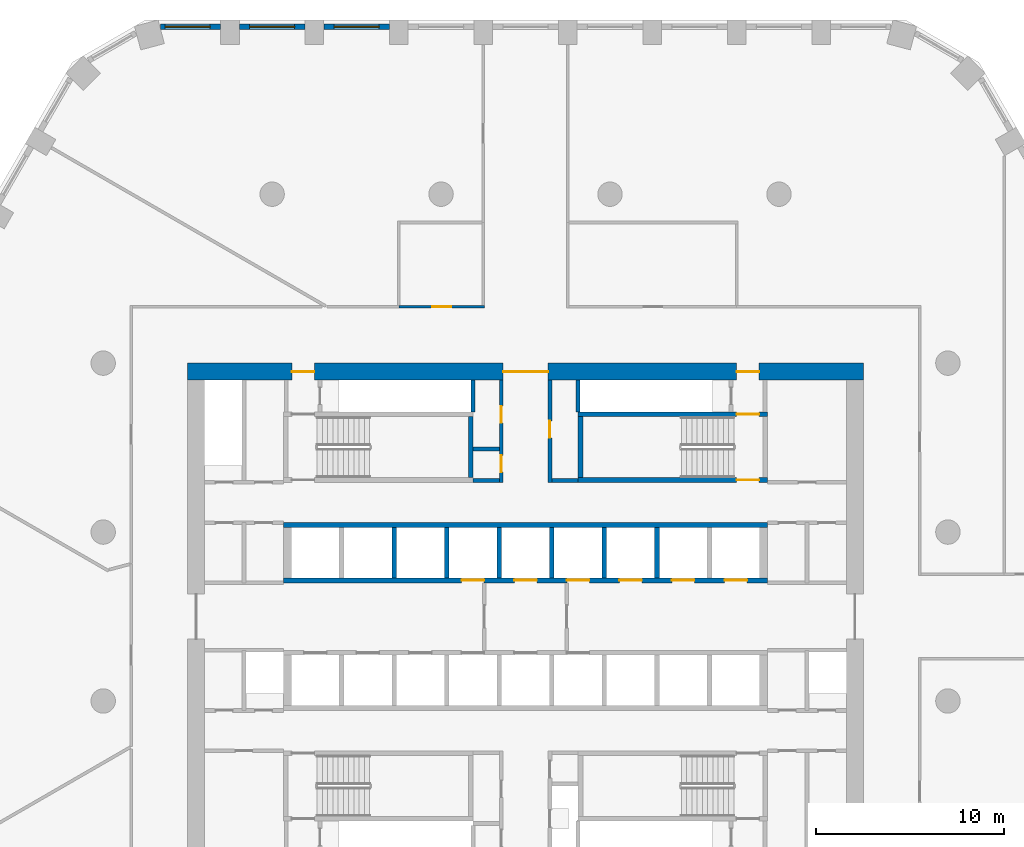
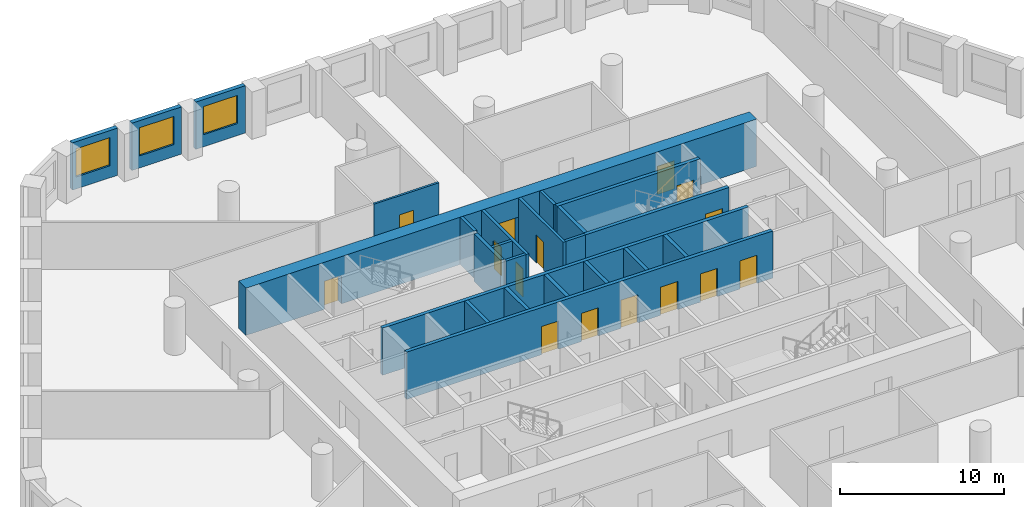
# One storey, part 6 of 10: 24 walls, 15 doors, 3 windows, 18 openings.
"""IFC4 building model written with IfcOpenShell, lengths in metres."""

from ifc_helpers import new_model, si_unit, direction, frame, frame_2d, origin, place, context, subcontext, project, spatial, polyline, rectangle, outline, extrude, material, layer, layer_set, type_object, element, fill, save


model = new_model("IFC4")

# Units and contexts
model_context = context("Model", 3, precision=1e-05, world=origin(), true_north=direction((0.0, 1.0)))
body_context = subcontext(model_context, "Body", "Model", "MODEL_VIEW")
ifc_project = project(units=[si_unit("LENGTHUNIT", "METRE"), si_unit("AREAUNIT", "SQUARE_METRE"), si_unit("VOLUMEUNIT", "CUBIC_METRE"), si_unit("PLANEANGLEUNIT", "RADIAN"), si_unit("MASSUNIT", "GRAM", prefix="KILO")], contexts=[model_context])

# Site, building, storey
site_placement = place(None, origin())
site = spatial("IfcSite", under=ifc_project, at=site_placement, CompositionType="ELEMENT")
building_placement = place(site_placement, origin())
building = spatial("IfcBuilding", under=site, at=building_placement, Name="Dhurran Vertical Campus", CompositionType="ELEMENT")
storey_placement = place(building_placement, frame((0.0, 0.0, 89.10009765625)))
storey = spatial("IfcBuildingStorey", under=building, at=storey_placement, Name="L21", CompositionType="ELEMENT", Elevation=89.10009765625)

# Wall, opening, window
ifc_material_1 = material(Name="Precast concrete C50/60", Category="concrete")
ifc_layer_1 = layer(ifc_material_1, 0.300048828125)
ifc_layer_set_1 = layer_set([ifc_layer_1], Name="Precast concrete C50/60")
wall_type_1 = type_object("IfcWallType", Name="Precast spandrel wall 300", PredefinedType="SOLIDWALL", material=ifc_layer_set_1)
wall_1_placement = place(storey_placement, frame((-7.25048828125, 31.4296875, 0.0), z_axis=(0.0, 0.0, 1.0), x_axis=(-1.0, 0.0, 0.0)))
wall_1 = element("IfcWall", 1, at=wall_1_placement, inside=storey, type_object=wall_type_1, Name="EW1 L21.32", PredefinedType="SOLIDWALL", context=body_context, shape_type="SweptSolid", body=[
    extrude(rectangle(XDim=3.4990234375, YDim=0.300048828125, at=frame_2d((1.74951171875, 0.0))), origin(), (0.0, 0.0, 1.0), 3.52490234375),
])
opening_1_placement = place(wall_1_placement, frame((0.549560546875, 0.0, 0.89990234375)))
opening_1 = element("IfcOpeningElement", 2, at=opening_1_placement, cuts=wall_1, Name="Opening WT1", PredefinedType="OPENING", context=body_context, shape_type="SweptSolid", body=[
    extrude(rectangle(XDim=2.39990234375, YDim=2.10009765625, at=frame_2d((1.199951171875, 1.050048828125))), frame((0.0, 0.159912109375, 0.0), z_axis=(0.0, -1.0, 0.0), x_axis=(1.0, 0.0, 0.0)), (0.0, 0.0, 1.0), 0.320068359375),
])
ifc_material_2 = material(Name="Aluminium frame with solar-control glass", Category="aluminium")
window_type = type_object("IfcWindowType", Name="Punched window 2400 x 2100", PartitioningType="SINGLE_PANEL", PredefinedType="WINDOW", material=ifc_material_2)
window_1_placement = place(opening_1_placement, origin())
window_1 = element("IfcWindow", 3, at=window_1_placement, inside=storey, type_object=window_type, Name="WT1 L21.32", OverallHeight=2.10009765625, OverallWidth=2.39990234375, PartitioningType="SINGLE_PANEL", PredefinedType="WINDOW", context=body_context, shape_type="SweptSolid", body=[
    extrude(rectangle(XDim=2.39990234375, YDim=2.10009765625, at=frame_2d((1.199951171875, 1.050048828125))), frame((0.0, 0.030029296875, 0.0), z_axis=(0.0, -1.0, 0.0), x_axis=(1.0, 0.0, 0.0)), (0.0, 0.0, 1.0), 0.06005859375),
])
fill(opening_1, window_1)

wall_2_placement = place(storey_placement, frame((-11.75048828125, 31.4296875, 0.0), z_axis=(0.0, 0.0, 1.0), x_axis=(-1.0, 0.0, 0.0)))
wall_2 = element("IfcWall", 4, at=wall_2_placement, inside=storey, type_object=wall_type_1, Name="EW1 L21.33", PredefinedType="SOLIDWALL", context=body_context, shape_type="SweptSolid", body=[
    extrude(rectangle(XDim=3.4990234375, YDim=0.300048828125, at=frame_2d((1.74951171875, 0.0))), origin(), (0.0, 0.0, 1.0), 3.52490234375),
])
opening_2_placement = place(wall_2_placement, frame((0.549560546875, 0.0, 0.89990234375)))
opening_2 = element("IfcOpeningElement", 5, at=opening_2_placement, cuts=wall_2, Name="Opening WT1", PredefinedType="OPENING", context=body_context, shape_type="SweptSolid", body=[
    extrude(rectangle(XDim=2.39990234375, YDim=2.10009765625, at=frame_2d((1.199951171875, 1.050048828125))), frame((0.0, 0.159912109375, 0.0), z_axis=(0.0, -1.0, 0.0), x_axis=(1.0, 0.0, 0.0)), (0.0, 0.0, 1.0), 0.320068359375),
])
window_2_placement = place(opening_2_placement, origin())
window_2 = element("IfcWindow", 6, at=window_2_placement, inside=storey, type_object=window_type, Name="WT1 L21.33", OverallHeight=2.10009765625, OverallWidth=2.39990234375, PartitioningType="SINGLE_PANEL", PredefinedType="WINDOW", context=body_context, shape_type="SweptSolid", body=[
    extrude(rectangle(XDim=2.39990234375, YDim=2.10009765625, at=frame_2d((1.199951171875, 1.050048828125))), frame((0.0, 0.030029296875, 0.0), z_axis=(0.0, -1.0, 0.0), x_axis=(1.0, 0.0, 0.0)), (0.0, 0.0, 1.0), 0.06005859375),
])
fill(opening_2, window_2)

wall_3_placement = place(storey_placement, frame((-16.25048828125, 31.4296875, 0.0), z_axis=(0.0, 0.0, 1.0), x_axis=(-1.0, 0.0, 0.0)))
wall_3 = element("IfcWall", 7, at=wall_3_placement, inside=storey, type_object=wall_type_1, Name="EW1 L21.34", PredefinedType="SOLIDWALL", context=body_context, shape_type="SweptSolid", body=[
    extrude(rectangle(XDim=3.1923828125, YDim=0.300048828125, at=frame_2d((1.59619140625, 0.0))), origin(), (0.0, 0.0, 1.0), 3.52490234375),
])
opening_3_placement = place(wall_3_placement, frame((0.549560546875, 0.0, 0.89990234375)))
opening_3 = element("IfcOpeningElement", 8, at=opening_3_placement, cuts=wall_3, Name="Opening WT1", PredefinedType="OPENING", context=body_context, shape_type="SweptSolid", body=[
    extrude(rectangle(XDim=2.39990234375, YDim=2.10009765625, at=frame_2d((1.199951171875, 1.050048828125))), frame((0.0, 0.159912109375, 0.0), z_axis=(0.0, -1.0, 0.0), x_axis=(1.0, 0.0, 0.0)), (0.0, 0.0, 1.0), 0.320068359375),
])
window_3_placement = place(opening_3_placement, origin())
window_3 = element("IfcWindow", 9, at=window_3_placement, inside=storey, type_object=window_type, Name="WT1 L21.34", OverallHeight=2.10009765625, OverallWidth=2.39990234375, PartitioningType="SINGLE_PANEL", PredefinedType="WINDOW", context=body_context, shape_type="SweptSolid", body=[
    extrude(rectangle(XDim=2.39990234375, YDim=2.10009765625, at=frame_2d((1.199951171875, 1.050048828125))), frame((0.0, 0.030029296875, 0.0), z_axis=(0.0, -1.0, 0.0), x_axis=(1.0, 0.0, 0.0)), (0.0, 0.0, 1.0), 0.06005859375),
])
fill(opening_3, window_3)

# Wall, openings, doors
ifc_material_3 = material(Name="Concrete C60/75", Category="concrete")
ifc_layer_2 = layer(ifc_material_3, 0.89990234375)
ifc_layer_set_2 = layer_set([ifc_layer_2], Name="Concrete C60/75")
wall_type_2 = type_object("IfcWallType", Name="co-CORE-WALL-C0-900", PredefinedType="SHEAR", material=ifc_layer_set_2)
wall_4_placement = place(storey_placement, frame((-18.0, 13.050048828125, 0.0), z_axis=(0.0, 0.0, 1.0), x_axis=(1.0, 0.0, 0.0)))
wall_4 = element("IfcWall", 10, at=wall_4_placement, inside=storey, type_object=wall_type_2, Name="Core wall N L21", PredefinedType="SHEAR", context=body_context, shape_type="SweptSolid", body=[
    extrude(rectangle(XDim=36.0, YDim=0.89990234375, at=frame_2d((18.0, 0.0))), origin(), (0.0, 0.0, 1.0), 3.52490234375),
])
opening_4_placement = place(wall_4_placement, frame((16.800048828125, 0.0, 0.0)))
opening_4 = element("IfcOpeningElement", 11, at=opening_4_placement, cuts=wall_4, Name="Opening CV1", PredefinedType="OPENING", context=body_context, shape_type="SweptSolid", body=[
    extrude(rectangle(XDim=2.39990234375, YDim=2.10009765625, at=frame_2d((1.199951171875, 1.050048828125))), frame((0.0, 0.4599609375, 0.0), z_axis=(0.0, -1.0, 0.0), x_axis=(1.0, 0.0, 0.0)), (0.0, 0.0, 1.0), 0.919921875),
])
opening_5_placement = place(wall_4_placement, frame((5.550048828125, 0.0, 0.0)))
opening_5 = element("IfcOpeningElement", 12, at=opening_5_placement, cuts=wall_4, Name="Opening XD1", PredefinedType="OPENING", context=body_context, shape_type="SweptSolid", body=[
    extrude(rectangle(XDim=1.199951171875, YDim=2.10009765625, at=frame_2d((0.60009765625, 1.050048828125))), frame((0.0, 0.4599609375, 0.0), z_axis=(0.0, -1.0, 0.0), x_axis=(1.0, 0.0, 0.0)), (0.0, 0.0, 1.0), 0.919921875),
])
opening_6_placement = place(wall_4_placement, frame((29.25, 0.0, 0.0)))
opening_6 = element("IfcOpeningElement", 13, at=opening_6_placement, cuts=wall_4, Name="Opening XD2", PredefinedType="OPENING", context=body_context, shape_type="SweptSolid", body=[
    extrude(rectangle(XDim=1.199951171875, YDim=2.10009765625, at=frame_2d((0.60009765625, 1.050048828125))), frame((0.0, 0.4599609375, 0.0), z_axis=(0.0, -1.0, 0.0), x_axis=(1.0, 0.0, 0.0)), (0.0, 0.0, 1.0), 0.919921875),
])
ifc_material_4 = material(Name="Fire-rated glazed door set")
door_type_1 = type_object("IfcDoorType", Name="co-D-LOBBY 2400x2100", OperationType="DOUBLE_DOOR_DOUBLE_SWING", PredefinedType="DOOR", material=ifc_material_4)
door_1_placement = place(opening_4_placement, origin())
door_1 = element("IfcDoor", 14, at=door_1_placement, inside=storey, type_object=door_type_1, Name="Core vestibule door N L21", OperationType="DOUBLE_DOOR_DOUBLE_SWING", OverallHeight=2.10009765625, OverallWidth=2.39990234375, PredefinedType="DOOR", context=body_context, shape_type="SweptSolid", body=[
    extrude(rectangle(XDim=2.39990234375, YDim=2.10009765625, at=frame_2d((1.199951171875, 1.050048828125))), frame((0.0, 0.02490234375, 0.0), z_axis=(0.0, -1.0, 0.0), x_axis=(1.0, 0.0, 0.0)), (0.0, 0.0, 1.0), 0.050048828125),
])
fill(opening_4, door_1)
ifc_material_5 = material(Name="Fire-rated steel door set", Category="steel")
door_type_2 = type_object("IfcDoorType", Name="co-D-STAIR-EXIT 1200x2100", OperationType="SINGLE_SWING_RIGHT", PredefinedType="DOOR", material=ifc_material_5)
door_2_placement = place(opening_5_placement, origin())
door_2 = element("IfcDoor", 15, at=door_2_placement, inside=storey, type_object=door_type_2, Name="Stair ST1 exit door L21", OperationType="SINGLE_SWING_RIGHT", OverallHeight=2.10009765625, OverallWidth=1.199951171875, PredefinedType="DOOR", context=body_context, shape_type="SweptSolid", body=[
    extrude(rectangle(XDim=1.199951171875, YDim=2.10009765625, at=frame_2d((0.60009765625, 1.050048828125))), frame((0.0, 0.02490234375, 0.0), z_axis=(0.0, -1.0, 0.0), x_axis=(1.0, 0.0, 0.0)), (0.0, 0.0, 1.0), 0.050048828125),
])
fill(opening_5, door_2)
door_3_placement = place(opening_6_placement, origin())
door_3 = element("IfcDoor", 16, at=door_3_placement, inside=storey, type_object=door_type_2, Name="Stair ST2 exit door L21", OperationType="SINGLE_SWING_RIGHT", OverallHeight=2.10009765625, OverallWidth=1.199951171875, PredefinedType="DOOR", context=body_context, shape_type="SweptSolid", body=[
    extrude(rectangle(XDim=1.199951171875, YDim=2.10009765625, at=frame_2d((0.60009765625, 1.050048828125))), frame((0.0, 0.02490234375, 0.0), z_axis=(0.0, -1.0, 0.0), x_axis=(1.0, 0.0, 0.0)), (0.0, 0.0, 1.0), 0.050048828125),
])
fill(opening_6, door_3)

# Walls
ifc_material_6 = material(Name="Fire-rated masonry blockwork", Category="masonry")
ifc_layer_3 = layer(ifc_material_6, 0.199951171875)
ifc_layer_set_3 = layer_set([ifc_layer_3], Name="Fire-rated masonry blockwork")
wall_type_3 = type_object("IfcWallType", Name="co-FIRE-PARTITION-200", PredefinedType="PARTITIONING", material=ifc_layer_set_3)
for number, where, z_axis, x_axis, name in (
    (17, (-2.800048828125, 7.25, 0.0), (0.0, 0.0, 1.0), (1.0, 0.0, 0.0), "Core partition sl-NW-S L21"),
    (18, (-2.800048828125, 8.925048828125, 0.0), (0.0, 0.0, 1.0), (1.0, 0.0, 0.0), "Core partition sl-NW-cut0 L21"),
    (19, (1.39990234375, 7.25, 0.0), (0.0, 0.0, 1.0), (1.0, 0.0, 0.0), "Core partition sl-NE-S L21"),
):
    element("IfcWall", number, at=place(storey_placement, frame(where, z_axis=z_axis, x_axis=x_axis)), inside=storey, type_object=wall_type_3, Name=name, PredefinedType="PARTITIONING", context=body_context, shape_type="SweptSolid", body=[
        extrude(rectangle(XDim=1.400146484375, YDim=0.199951171875, at=frame_2d((0.7001953125, 0.0))), origin(), (0.0, 0.0, 1.0), 3.52490234375),
    ])

# Wall, openings, doors
wall_5_placement = place(storey_placement, frame((-1.300048828125, 7.14990234375, 0.0), z_axis=(0.0, 0.0, 1.0), x_axis=(0.0, 1.0, 0.0)))
wall_5 = element("IfcWall", 20, at=wall_5_placement, inside=storey, type_object=wall_type_3, Name="Core partition vest-NW L21", PredefinedType="PARTITIONING", context=body_context, shape_type="SweptSolid", body=[
    extrude(rectangle(XDim=5.4501953125, YDim=0.199951171875, at=frame_2d((2.72509765625, 0.0))), origin(), (0.0, 0.0, 1.0), 3.52490234375),
])
opening_7_placement = place(wall_5_placement, frame((0.53759765625, 0.0, 0.0)))
opening_7 = element("IfcOpeningElement", 21, at=opening_7_placement, cuts=wall_5, Name="Opening T05-C5", PredefinedType="OPENING", context=body_context, shape_type="SweptSolid", body=[
    extrude(rectangle(XDim=0.89990234375, YDim=2.10009765625, at=frame_2d((0.449951171875, 1.050048828125))), frame((0.0, 0.10986328125, 0.0), z_axis=(0.0, -1.0, 0.0), x_axis=(1.0, 0.0, 0.0)), (0.0, 0.0, 1.0), 0.219970703125),
])
opening_8_placement = place(wall_5_placement, frame((3.16259765625, 0.0, 0.0)))
opening_8 = element("IfcOpeningElement", 22, at=opening_8_placement, cuts=wall_5, Name="Opening T05-C6", PredefinedType="OPENING", context=body_context, shape_type="SweptSolid", body=[
    extrude(rectangle(XDim=0.89990234375, YDim=2.10009765625, at=frame_2d((0.449951171875, 1.050048828125))), frame((0.0, 0.10986328125, 0.0), z_axis=(0.0, -1.0, 0.0), x_axis=(1.0, 0.0, 0.0)), (0.0, 0.0, 1.0), 0.219970703125),
])
ifc_material_7 = material(Name="Fire-rated timber door set", Category="wood")
door_type_3 = type_object("IfcDoorType", Name="co-D-ROOM 900x2100", OperationType="SINGLE_SWING_LEFT", PredefinedType="DOOR", material=ifc_material_7)
door_4_placement = place(opening_7_placement, origin())
door_4 = element("IfcDoor", 23, at=door_4_placement, inside=storey, type_object=door_type_3, Name="Housekeeping store door L21", OperationType="SINGLE_SWING_LEFT", OverallHeight=2.10009765625, OverallWidth=0.89990234375, PredefinedType="DOOR", context=body_context, shape_type="SweptSolid", body=[
    extrude(rectangle(XDim=0.89990234375, YDim=2.10009765625, at=frame_2d((0.449951171875, 1.050048828125))), frame((0.0, 0.02490234375, 0.0), z_axis=(0.0, -1.0, 0.0), x_axis=(1.0, 0.0, 0.0)), (0.0, 0.0, 1.0), 0.050048828125),
])
fill(opening_7, door_4)
door_5_placement = place(opening_8_placement, origin())
door_5 = element("IfcDoor", 24, at=door_5_placement, inside=storey, type_object=door_type_3, Name="Print room door L21", OperationType="SINGLE_SWING_LEFT", OverallHeight=2.10009765625, OverallWidth=0.89990234375, PredefinedType="DOOR", context=body_context, shape_type="SweptSolid", body=[
    extrude(rectangle(XDim=0.89990234375, YDim=2.10009765625, at=frame_2d((0.449951171875, 1.050048828125))), frame((0.0, 0.02490234375, 0.0), z_axis=(0.0, -1.0, 0.0), x_axis=(1.0, 0.0, 0.0)), (0.0, 0.0, 1.0), 0.050048828125),
])
fill(opening_8, door_5)

# Wall, opening, door
wall_6_placement = place(storey_placement, frame((1.300048828125, 7.14990234375, 0.0), z_axis=(0.0, 0.0, 1.0), x_axis=(0.0, 1.0, 0.0)))
wall_6 = element("IfcWall", 25, at=wall_6_placement, inside=storey, type_object=wall_type_3, Name="Core partition vest-NE L21", PredefinedType="PARTITIONING", context=body_context, shape_type="SweptSolid", body=[
    extrude(rectangle(XDim=5.4501953125, YDim=0.199951171875, at=frame_2d((2.72509765625, 0.0))), origin(), (0.0, 0.0, 1.0), 3.52490234375),
])
opening_9_placement = place(wall_6_placement, frame((2.375, 0.0, 0.0)))
opening_9 = element("IfcOpeningElement", 26, at=opening_9_placement, cuts=wall_6, Name="Opening T05-C7", PredefinedType="OPENING", context=body_context, shape_type="SweptSolid", body=[
    extrude(rectangle(XDim=0.89990234375, YDim=2.10009765625, at=frame_2d((0.449951171875, 1.050048828125))), frame((0.0, 0.10986328125, 0.0), z_axis=(0.0, -1.0, 0.0), x_axis=(1.0, 0.0, 0.0)), (0.0, 0.0, 1.0), 0.219970703125),
])
door_6_placement = place(opening_9_placement, origin())
door_6 = element("IfcDoor", 27, at=door_6_placement, inside=storey, type_object=door_type_3, Name="Cleaner's store door L21", OperationType="SINGLE_SWING_LEFT", OverallHeight=2.10009765625, OverallWidth=0.89990234375, PredefinedType="DOOR", context=body_context, shape_type="SweptSolid", body=[
    extrude(rectangle(XDim=0.89990234375, YDim=2.10009765625, at=frame_2d((0.449951171875, 1.050048828125))), frame((0.0, 0.02490234375, 0.0), z_axis=(0.0, -1.0, 0.0), x_axis=(1.0, 0.0, 0.0)), (0.0, 0.0, 1.0), 0.050048828125),
])
fill(opening_9, door_6)

# Walls
for number, where, z_axis, x_axis, name in (
    (28, (-2.800048828125, 10.90087890625, 0.0), (0.0, 0.0, 1.0), (0.0, 1.0, 0.0), "Riser enclosure wall L21"),
    (29, (2.800048828125, 12.59912109375, 0.0), (0.0, 0.0, 1.0), (0.0, -1.0, 0.0), "Riser enclosure wall L21"),
):
    element("IfcWall", number, at=place(storey_placement, frame(where, z_axis=z_axis, x_axis=x_axis)), inside=storey, type_object=wall_type_3, Name=name, PredefinedType="PARTITIONING", context=body_context, shape_type="SweptSolid", body=[
        extrude(rectangle(XDim=1.6982421875, YDim=0.199951171875, at=frame_2d((0.84912109375, 0.0))), origin(), (0.0, 0.0, 1.0), 3.52490234375),
    ])

# Wall, openings, doors
ifc_material_8 = material(Name="Concrete C50/60", Category="concrete")
ifc_layer_4 = layer(ifc_material_8, 0.25)
ifc_layer_set_4 = layer_set([ifc_layer_4], Name="Concrete C50/60")
wall_type_4 = type_object("IfcWallType", Name="co-SHAFT-FRONT-250", PredefinedType="SHEAR", material=ifc_layer_set_4)
wall_7_placement = place(storey_placement, frame((-12.89990234375, 1.925048828125, 0.0), z_axis=(0.0, 0.0, 1.0), x_axis=(1.0, 0.0, 0.0)))
wall_7 = element("IfcWall", 30, at=wall_7_placement, inside=storey, type_object=wall_type_4, Name="Lift landing wall N L21", PredefinedType="SHEAR", context=body_context, shape_type="SweptSolid", body=[
    extrude(rectangle(XDim=25.7998046875, YDim=0.25, at=frame_2d((12.89990234375, 0.0))), origin(), (0.0, 0.0, 1.0), 3.52490234375),
])
opening_10_placement = place(wall_7_placement, frame((9.5, 0.0, 0.0)))
opening_10 = element("IfcOpeningElement", 31, at=opening_10_placement, cuts=wall_7, Name="Opening LD", PredefinedType="OPENING", context=body_context, shape_type="SweptSolid", body=[
    extrude(rectangle(XDim=1.199951171875, YDim=2.10009765625, at=frame_2d((0.60009765625, 1.050048828125))), frame((0.0, 0.135009765625, 0.0), z_axis=(0.0, -1.0, 0.0), x_axis=(1.0, 0.0, 0.0)), (0.0, 0.0, 1.0), 0.27001953125),
])
opening_11_placement = place(wall_7_placement, frame((12.300048828125, 0.0, 0.0)))
opening_11 = element("IfcOpeningElement", 32, at=opening_11_placement, cuts=wall_7, Name="Opening LD", PredefinedType="OPENING", context=body_context, shape_type="SweptSolid", body=[
    extrude(rectangle(XDim=1.199951171875, YDim=2.10009765625, at=frame_2d((0.60009765625, 1.050048828125))), frame((0.0, 0.135009765625, 0.0), z_axis=(0.0, -1.0, 0.0), x_axis=(1.0, 0.0, 0.0)), (0.0, 0.0, 1.0), 0.27001953125),
])
opening_12_placement = place(wall_7_placement, frame((15.10009765625, 0.0, 0.0)))
opening_12 = element("IfcOpeningElement", 33, at=opening_12_placement, cuts=wall_7, Name="Opening LD", PredefinedType="OPENING", context=body_context, shape_type="SweptSolid", body=[
    extrude(rectangle(XDim=1.199951171875, YDim=2.10009765625, at=frame_2d((0.60009765625, 1.050048828125))), frame((0.0, 0.135009765625, 0.0), z_axis=(0.0, -1.0, 0.0), x_axis=(1.0, 0.0, 0.0)), (0.0, 0.0, 1.0), 0.27001953125),
])
opening_13_placement = place(wall_7_placement, frame((17.89990234375, 0.0, 0.0)))
opening_13 = element("IfcOpeningElement", 34, at=opening_13_placement, cuts=wall_7, Name="Opening LD", PredefinedType="OPENING", context=body_context, shape_type="SweptSolid", body=[
    extrude(rectangle(XDim=1.199951171875, YDim=2.10009765625, at=frame_2d((0.60009765625, 1.050048828125))), frame((0.0, 0.135009765625, 0.0), z_axis=(0.0, -1.0, 0.0), x_axis=(1.0, 0.0, 0.0)), (0.0, 0.0, 1.0), 0.27001953125),
])
opening_14_placement = place(wall_7_placement, frame((20.699951171875, 0.0, 0.0)))
opening_14 = element("IfcOpeningElement", 35, at=opening_14_placement, cuts=wall_7, Name="Opening LD", PredefinedType="OPENING", context=body_context, shape_type="SweptSolid", body=[
    extrude(rectangle(XDim=1.199951171875, YDim=2.10009765625, at=frame_2d((0.60009765625, 1.050048828125))), frame((0.0, 0.135009765625, 0.0), z_axis=(0.0, -1.0, 0.0), x_axis=(1.0, 0.0, 0.0)), (0.0, 0.0, 1.0), 0.27001953125),
])
opening_15_placement = place(wall_7_placement, frame((23.5, 0.0, 0.0)))
opening_15 = element("IfcOpeningElement", 36, at=opening_15_placement, cuts=wall_7, Name="Opening LD", PredefinedType="OPENING", context=body_context, shape_type="SweptSolid", body=[
    extrude(rectangle(XDim=1.199951171875, YDim=2.10009765625, at=frame_2d((0.60009765625, 1.050048828125))), frame((0.0, 0.135009765625, 0.0), z_axis=(0.0, -1.0, 0.0), x_axis=(1.0, 0.0, 0.0)), (0.0, 0.0, 1.0), 0.27001953125),
])
ifc_material_9 = material(Name="Stainless steel landing door", Category="steel")
door_type_4 = type_object("IfcDoorType", Name="co-D-LANDING 1200x2100", OperationType="DOUBLE_DOOR_SLIDING", PredefinedType="DOOR", material=ifc_material_9)
door_7_placement = place(opening_10_placement, origin())
door_7 = element("IfcDoor", 37, at=door_7_placement, inside=storey, type_object=door_type_4, Name="Landing door LR1 L21", OperationType="DOUBLE_DOOR_SLIDING", OverallHeight=2.10009765625, OverallWidth=1.199951171875, PredefinedType="DOOR", context=body_context, shape_type="SweptSolid", body=[
    extrude(rectangle(XDim=1.199951171875, YDim=2.10009765625, at=frame_2d((0.60009765625, 1.050048828125))), frame((0.0, 0.02490234375, 0.0), z_axis=(0.0, -1.0, 0.0), x_axis=(1.0, 0.0, 0.0)), (0.0, 0.0, 1.0), 0.050048828125),
])
fill(opening_10, door_7)
door_8_placement = place(opening_11_placement, origin())
door_8 = element("IfcDoor", 38, at=door_8_placement, inside=storey, type_object=door_type_4, Name="Landing door FF1 L21", OperationType="DOUBLE_DOOR_SLIDING", OverallHeight=2.10009765625, OverallWidth=1.199951171875, PredefinedType="DOOR", context=body_context, shape_type="SweptSolid", body=[
    extrude(rectangle(XDim=1.199951171875, YDim=2.10009765625, at=frame_2d((0.60009765625, 1.050048828125))), frame((0.0, 0.02490234375, 0.0), z_axis=(0.0, -1.0, 0.0), x_axis=(1.0, 0.0, 0.0)), (0.0, 0.0, 1.0), 0.050048828125),
])
fill(opening_11, door_8)
door_9_placement = place(opening_12_placement, origin())
door_9 = element("IfcDoor", 39, at=door_9_placement, inside=storey, type_object=door_type_4, Name="Landing door LR2 L21", OperationType="DOUBLE_DOOR_SLIDING", OverallHeight=2.10009765625, OverallWidth=1.199951171875, PredefinedType="DOOR", context=body_context, shape_type="SweptSolid", body=[
    extrude(rectangle(XDim=1.199951171875, YDim=2.10009765625, at=frame_2d((0.60009765625, 1.050048828125))), frame((0.0, 0.02490234375, 0.0), z_axis=(0.0, -1.0, 0.0), x_axis=(1.0, 0.0, 0.0)), (0.0, 0.0, 1.0), 0.050048828125),
])
fill(opening_12, door_9)
door_10_placement = place(opening_13_placement, origin())
door_10 = element("IfcDoor", 40, at=door_10_placement, inside=storey, type_object=door_type_4, Name="Landing door LR3 L21", OperationType="DOUBLE_DOOR_SLIDING", OverallHeight=2.10009765625, OverallWidth=1.199951171875, PredefinedType="DOOR", context=body_context, shape_type="SweptSolid", body=[
    extrude(rectangle(XDim=1.199951171875, YDim=2.10009765625, at=frame_2d((0.60009765625, 1.050048828125))), frame((0.0, 0.02490234375, 0.0), z_axis=(0.0, -1.0, 0.0), x_axis=(1.0, 0.0, 0.0)), (0.0, 0.0, 1.0), 0.050048828125),
])
fill(opening_13, door_10)
door_11_placement = place(opening_14_placement, origin())
door_11 = element("IfcDoor", 41, at=door_11_placement, inside=storey, type_object=door_type_4, Name="Landing door LR4 L21", OperationType="DOUBLE_DOOR_SLIDING", OverallHeight=2.10009765625, OverallWidth=1.199951171875, PredefinedType="DOOR", context=body_context, shape_type="SweptSolid", body=[
    extrude(rectangle(XDim=1.199951171875, YDim=2.10009765625, at=frame_2d((0.60009765625, 1.050048828125))), frame((0.0, 0.02490234375, 0.0), z_axis=(0.0, -1.0, 0.0), x_axis=(1.0, 0.0, 0.0)), (0.0, 0.0, 1.0), 0.050048828125),
])
fill(opening_14, door_11)
door_12_placement = place(opening_15_placement, origin())
door_12 = element("IfcDoor", 42, at=door_12_placement, inside=storey, type_object=door_type_4, Name="Landing door SV2 L21", OperationType="DOUBLE_DOOR_SLIDING", OverallHeight=2.10009765625, OverallWidth=1.199951171875, PredefinedType="DOOR", context=body_context, shape_type="SweptSolid", body=[
    extrude(rectangle(XDim=1.199951171875, YDim=2.10009765625, at=frame_2d((0.60009765625, 1.050048828125))), frame((0.0, 0.02490234375, 0.0), z_axis=(0.0, -1.0, 0.0), x_axis=(1.0, 0.0, 0.0)), (0.0, 0.0, 1.0), 0.050048828125),
])
fill(opening_15, door_12)

# Walls
ifc_material_10 = material(Name="Concrete C50/60", Category="concrete")
ifc_layer_5 = layer(ifc_material_10, 0.25)
ifc_layer_set_5 = layer_set([ifc_layer_5], Name="Concrete C50/60")
wall_type_5 = type_object("IfcWallType", Name="co-SHAFT-MASS-250", PredefinedType="SHEAR", material=ifc_layer_set_5)
wall_8_placement = place(storey_placement, origin())
element("IfcWall", 43, at=wall_8_placement, inside=storey, type_object=wall_type_5, Name="Lift shaft wall N L21 1", PredefinedType="SHEAR", context=body_context, shape_type="SweptSolid", body=[
    extrude(outline(polyline([(-12.89990234375, 4.75), (12.89990234375, 4.75), (12.89990234375, 5.0), (-12.89990234375, 5.0), (-12.89990234375, 4.75)])), origin(), (0.0, 0.0, 1.0), 3.52490234375),
])
wall_9_placement = place(storey_placement, origin())
element("IfcWall", 44, at=wall_9_placement, inside=storey, type_object=wall_type_5, Name="Lift shaft wall N L21 4", PredefinedType="SHEAR", context=body_context, shape_type="SweptSolid", body=[
    extrude(outline(polyline([(-7.125, 2.050048828125), (-6.875, 2.050048828125), (-6.875, 4.75), (-7.125, 4.75), (-7.125, 2.050048828125)])), origin(), (0.0, 0.0, 1.0), 3.52490234375),
])
wall_10_placement = place(storey_placement, origin())
element("IfcWall", 45, at=wall_10_placement, inside=storey, type_object=wall_type_5, Name="Lift shaft wall N L21 5", PredefinedType="SHEAR", context=body_context, shape_type="SweptSolid", body=[
    extrude(outline(polyline([(-4.324951171875, 2.050048828125), (-4.074951171875, 2.050048828125), (-4.074951171875, 4.75), (-4.324951171875, 4.75), (-4.324951171875, 2.050048828125)])), origin(), (0.0, 0.0, 1.0), 3.52490234375),
])
wall_11_placement = place(storey_placement, origin())
element("IfcWall", 46, at=wall_11_placement, inside=storey, type_object=wall_type_5, Name="Lift shaft wall N L21 6", PredefinedType="SHEAR", context=body_context, shape_type="SweptSolid", body=[
    extrude(outline(polyline([(-1.52490234375, 2.050048828125), (-1.27490234375, 2.050048828125), (-1.27490234375, 4.75), (-1.52490234375, 4.75), (-1.52490234375, 2.050048828125)])), origin(), (0.0, 0.0, 1.0), 3.52490234375),
])
wall_12_placement = place(storey_placement, origin())
element("IfcWall", 47, at=wall_12_placement, inside=storey, type_object=wall_type_5, Name="Lift shaft wall N L21 7", PredefinedType="SHEAR", context=body_context, shape_type="SweptSolid", body=[
    extrude(outline(polyline([(1.27490234375, 2.050048828125), (1.52490234375, 2.050048828125), (1.52490234375, 4.75), (1.27490234375, 4.75), (1.27490234375, 2.050048828125)])), origin(), (0.0, 0.0, 1.0), 3.52490234375),
])
wall_13_placement = place(storey_placement, origin())
element("IfcWall", 48, at=wall_13_placement, inside=storey, type_object=wall_type_5, Name="Lift shaft wall N L21 8", PredefinedType="SHEAR", context=body_context, shape_type="SweptSolid", body=[
    extrude(outline(polyline([(4.074951171875, 2.050048828125), (4.324951171875, 2.050048828125), (4.324951171875, 4.75), (4.074951171875, 4.75), (4.074951171875, 2.050048828125)])), origin(), (0.0, 0.0, 1.0), 3.52490234375),
])
wall_14_placement = place(storey_placement, origin())
element("IfcWall", 49, at=wall_14_placement, inside=storey, type_object=wall_type_5, Name="Lift shaft wall N L21 9", PredefinedType="SHEAR", context=body_context, shape_type="SweptSolid", body=[
    extrude(outline(polyline([(6.875, 2.050048828125), (7.125, 2.050048828125), (7.125, 4.75), (6.875, 4.75), (6.875, 2.050048828125)])), origin(), (0.0, 0.0, 1.0), 3.52490234375),
])
ifc_material_11 = material(Name="Concrete C40/50", Category="concrete")
ifc_layer_6 = layer(ifc_material_11, 0.25)
ifc_layer_set_6 = layer_set([ifc_layer_6], Name="Concrete C40/50")
wall_type_6 = type_object("IfcWallType", Name="co-STAIR-WALL-250", PredefinedType="SHEAR", material=ifc_layer_set_6)
wall_15_placement = place(storey_placement, frame((-2.925048828125, 7.39990234375, 0.0), z_axis=(0.0, 0.0, 1.0), x_axis=(0.0, 1.0, 0.0)))
element("IfcWall", 50, at=wall_15_placement, inside=storey, type_object=wall_type_6, Name="Stair ST1 enclosure wall L21", PredefinedType="SHEAR", context=body_context, shape_type="SweptSolid", body=[
    extrude(rectangle(XDim=3.25, YDim=0.25, at=frame_2d((1.625, 0.0))), origin(), (0.0, 0.0, 1.0), 3.52490234375),
])

# Wall, opening, door
wall_16_placement = place(storey_placement, frame((2.800048828125, 7.27490234375, 0.0), z_axis=(0.0, 0.0, 1.0), x_axis=(1.0, 0.0, 0.0)))
wall_16 = element("IfcWall", 51, at=wall_16_placement, inside=storey, type_object=wall_type_6, Name="Stair ST2 enclosure wall L21", PredefinedType="SHEAR", context=body_context, shape_type="SweptSolid", body=[
    extrude(rectangle(XDim=10.099853515625, YDim=0.25, at=frame_2d((5.0498046875, 0.0))), origin(), (0.0, 0.0, 1.0), 3.52490234375),
])
opening_16_placement = place(wall_16_placement, frame((8.449951171875, 0.0, 0.0)))
opening_16 = element("IfcOpeningElement", 52, at=opening_16_placement, cuts=wall_16, Name="Opening SD2", PredefinedType="OPENING", context=body_context, shape_type="SweptSolid", body=[
    extrude(rectangle(XDim=1.199951171875, YDim=2.10009765625, at=frame_2d((0.60009765625, 1.050048828125))), frame((0.0, 0.135009765625, 0.0), z_axis=(0.0, -1.0, 0.0), x_axis=(1.0, 0.0, 0.0)), (0.0, 0.0, 1.0), 0.27001953125),
])
ifc_material_12 = material(Name="Fire-rated steel door set", Category="steel")
door_type_5 = type_object("IfcDoorType", Name="co-D-STAIR 1200x2100", OperationType="SINGLE_SWING_LEFT", PredefinedType="DOOR", material=ifc_material_12)
door_13_placement = place(opening_16_placement, origin())
door_13 = element("IfcDoor", 53, at=door_13_placement, inside=storey, type_object=door_type_5, Name="Stair ST2 door L21", OperationType="SINGLE_SWING_LEFT", OverallHeight=2.10009765625, OverallWidth=1.199951171875, PredefinedType="DOOR", context=body_context, shape_type="SweptSolid", body=[
    extrude(rectangle(XDim=1.199951171875, YDim=2.10009765625, at=frame_2d((0.60009765625, 1.050048828125))), frame((0.0, 0.02490234375, 0.0), z_axis=(0.0, -1.0, 0.0), x_axis=(1.0, 0.0, 0.0)), (0.0, 0.0, 1.0), 0.050048828125),
])
fill(opening_16, door_13)

wall_17_placement = place(storey_placement, frame((2.800048828125, 10.77490234375, 0.0), z_axis=(0.0, 0.0, 1.0), x_axis=(1.0, 0.0, 0.0)))
wall_17 = element("IfcWall", 54, at=wall_17_placement, inside=storey, type_object=wall_type_6, Name="Stair ST2 enclosure wall L21", PredefinedType="SHEAR", context=body_context, shape_type="SweptSolid", body=[
    extrude(rectangle(XDim=10.099853515625, YDim=0.25, at=frame_2d((5.0498046875, 0.0))), origin(), (0.0, 0.0, 1.0), 3.52490234375),
])
opening_17_placement = place(wall_17_placement, frame((8.449951171875, 0.0, 0.0)))
opening_17 = element("IfcOpeningElement", 55, at=opening_17_placement, cuts=wall_17, Name="Opening XS2", PredefinedType="OPENING", context=body_context, shape_type="SweptSolid", body=[
    extrude(rectangle(XDim=1.199951171875, YDim=2.10009765625, at=frame_2d((0.60009765625, 1.050048828125))), frame((0.0, 0.135009765625, 0.0), z_axis=(0.0, -1.0, 0.0), x_axis=(1.0, 0.0, 0.0)), (0.0, 0.0, 1.0), 0.27001953125),
])
door_14_placement = place(opening_17_placement, origin())
door_14 = element("IfcDoor", 56, at=door_14_placement, inside=storey, type_object=door_type_2, Name="Stair ST2 discharge door L21", OperationType="SINGLE_SWING_RIGHT", OverallHeight=2.10009765625, OverallWidth=1.199951171875, PredefinedType="DOOR", context=body_context, shape_type="SweptSolid", body=[
    extrude(rectangle(XDim=1.199951171875, YDim=2.10009765625, at=frame_2d((0.60009765625, 1.050048828125))), frame((0.0, 0.02490234375, 0.0), z_axis=(0.0, -1.0, 0.0), x_axis=(1.0, 0.0, 0.0)), (0.0, 0.0, 1.0), 0.050048828125),
])
fill(opening_17, door_14)

# Wall
wall_18_placement = place(storey_placement, frame((2.925048828125, 7.39990234375, 0.0), z_axis=(0.0, 0.0, 1.0), x_axis=(0.0, 1.0, 0.0)))
element("IfcWall", 57, at=wall_18_placement, inside=storey, type_object=wall_type_6, Name="Stair ST2 enclosure wall L21", PredefinedType="SHEAR", context=body_context, shape_type="SweptSolid", body=[
    extrude(rectangle(XDim=3.25, YDim=0.25, at=frame_2d((1.625, 0.0))), origin(), (0.0, 0.0, 1.0), 3.52490234375),
])

# Wall, opening, door
ifc_material_13 = material(Name="Gypsum board corridor wall on steel studs", Category="steel")
ifc_layer_7 = layer(ifc_material_13, 0.14990234375)
ifc_layer_set_7 = layer_set([ifc_layer_7], Name="Gypsum board corridor wall on steel studs")
wall_type_7 = type_object("IfcWallType", Name="fl-CW-150 corridor wall", PredefinedType="PARTITIONING", material=ifc_layer_set_7)
wall_19_placement = place(storey_placement, frame((-2.175048828125, 16.5, 0.0), z_axis=(0.0, 0.0, 1.0), x_axis=(-1.0, 0.0, 0.0)))
wall_19 = element("IfcWall", 58, at=wall_19_placement, inside=storey, type_object=wall_type_7, Name="Partition 21-17", PredefinedType="PARTITIONING", context=body_context, shape_type="SweptSolid", body=[
    extrude(rectangle(XDim=4.574951171875, YDim=0.14990234375, at=frame_2d((2.28759765625, 0.0))), origin(), (0.0, 0.0, 1.0), 3.52490234375),
])
opening_18_placement = place(wall_19_placement, frame((1.78759765625, 0.0, 0.0)))
opening_18 = element("IfcOpeningElement", 59, at=opening_18_placement, cuts=wall_19, Name="Opening T05.07", PredefinedType="OPENING", context=body_context, shape_type="SweptSolid", body=[
    extrude(rectangle(XDim=1.0, YDim=2.10009765625, at=frame_2d((0.5, 1.050048828125))), frame((0.0, 0.0849609375, 0.0), z_axis=(0.0, -1.0, 0.0), x_axis=(1.0, 0.0, 0.0)), (0.0, 0.0, 1.0), 0.169921875),
])
ifc_material_14 = material(Name="Solid-core timber door set, fire-rated", Category="wood")
door_type_6 = type_object("IfcDoorType", Name="fl-D-1000x2100", OperationType="SINGLE_SWING_LEFT", PredefinedType="DOOR", material=ifc_material_14)
door_15_placement = place(opening_18_placement, origin())
door_15 = element("IfcDoor", 60, at=door_15_placement, inside=storey, type_object=door_type_6, Name="Door 21.07", OperationType="SINGLE_SWING_RIGHT", OverallHeight=2.10009765625, OverallWidth=1.0, PredefinedType="DOOR", context=body_context, shape_type="SweptSolid", body=[
    extrude(rectangle(XDim=1.0, YDim=2.10009765625, at=frame_2d((0.5, 1.050048828125))), frame((0.0, 0.02490234375, 0.0), z_axis=(0.0, -1.0, 0.0), x_axis=(1.0, 0.0, 0.0)), (0.0, 0.0, 1.0), 0.050048828125),
])
fill(opening_18, door_15)

save(model, "model.ifc")
